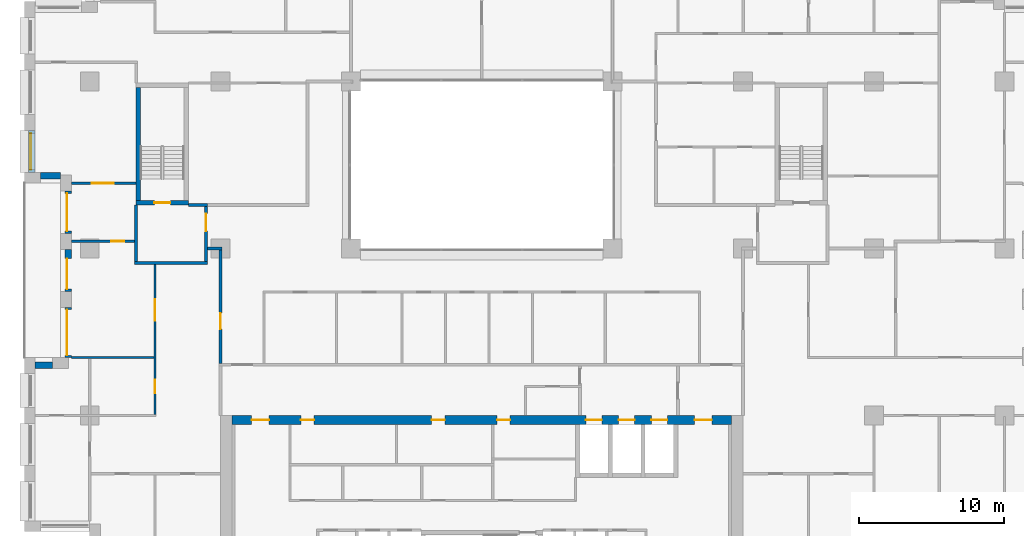
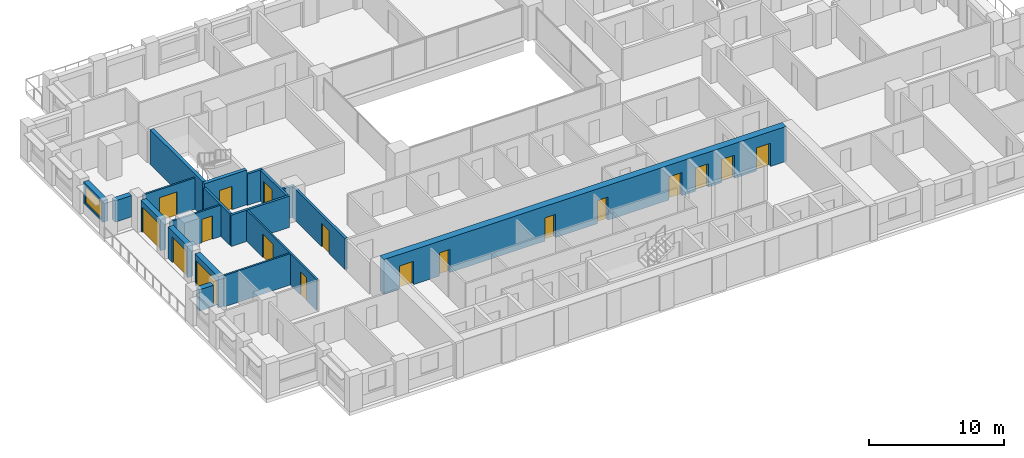
# One storey, part 9 of 16: 19 walls, 18 doors, 1 window, 19 openings.
"""IFC4 building model written with IfcOpenShell, lengths in metres."""

from ifc_helpers import new_model, si_unit, direction, frame, frame_2d, origin, place, context, subcontext, project, spatial, rectangle, extrude, material, layer, layer_set, type_object, element, fill, save


model = new_model("IFC4")

# Units and contexts
model_context = context("Model", 3, precision=1e-05, world=origin(), true_north=direction((0.0, 1.0)))
body_context = subcontext(model_context, "Body", "Model", "MODEL_VIEW")
ifc_project = project(units=[si_unit("LENGTHUNIT", "METRE"), si_unit("AREAUNIT", "SQUARE_METRE"), si_unit("VOLUMEUNIT", "CUBIC_METRE"), si_unit("PLANEANGLEUNIT", "RADIAN"), si_unit("MASSUNIT", "GRAM", prefix="KILO")], contexts=[model_context])

# Site, building, storey
site_placement = place(None, origin())
site = spatial("IfcSite", under=ifc_project, at=site_placement, CompositionType="ELEMENT")
building_placement = place(site_placement, origin())
building = spatial("IfcBuilding", under=site, at=building_placement, Name="Brigalow Station Residences", CompositionType="ELEMENT")
storey_placement = place(building_placement, frame((0.0, 0.0, 105.60009765625)))
storey = spatial("IfcBuildingStorey", under=building, at=storey_placement, Name="L30", CompositionType="ELEMENT", Elevation=105.60009765625)

# Wall, opening, window
ifc_material_1 = material(Name="Clay brick masonry", Category="masonry")
ifc_layer_1 = layer(ifc_material_1, 0.449951171875)
ifc_layer_set_1 = layer_set([ifc_layer_1], Name="BRICK INFILL WALL 450")
wall_type_1 = type_object("IfcWallType", Name="BRICK INFILL WALL 450", PredefinedType="SOLIDWALL", material=ifc_layer_set_1)
wall_1_placement = place(storey_placement, frame((5.02490234375, 32.116943359375, 0.89990234375), z_axis=(0.0, 0.0, 1.0), x_axis=(0.0, -1.0, 0.0)))
wall_1 = element("IfcWall", 1, at=wall_1_placement, inside=storey, type_object=wall_type_1, Name="L30/ewall/W-L30-41", PredefinedType="SOLIDWALL", context=body_context, shape_type="SweptSolid", body=[
    extrude(rectangle(XDim=2.866943359375, YDim=0.449951171875, at=frame_2d((1.43359375, 0.0))), origin(), (0.0, 0.0, 1.0), 1.929931640625),
])
opening_1_placement = place(wall_1_placement, frame((0.18359375, 0.0, 0.14990234375)))
opening_1 = element("IfcOpeningElement", 2, at=opening_1_placement, cuts=wall_1, Name="Opening WT-5", PredefinedType="OPENING", context=body_context, shape_type="SweptSolid", body=[
    extrude(rectangle(XDim=2.5, YDim=1.5, at=frame_2d((1.25, 0.75))), frame((0.0, 0.23486328125, 0.0), z_axis=(0.0, -1.0, 0.0), x_axis=(1.0, 0.0, 0.0)), (0.0, 0.0, 1.0), 0.469970703125),
])
ifc_material_2 = material(Name="Anodised aluminium frame with double glazing", Category="aluminium")
window_type = type_object("IfcWindowType", Name="WINDOW 2500x1500", PartitioningType="SINGLE_PANEL", PredefinedType="WINDOW", material=ifc_material_2)
window_placement = place(opening_1_placement, origin())
window = element("IfcWindow", 3, at=window_placement, inside=storey, type_object=window_type, Name="L30/window/W-L30-41", OverallHeight=1.5, OverallWidth=2.5, PartitioningType="SINGLE_PANEL", PredefinedType="WINDOW", context=body_context, shape_type="SweptSolid", body=[
    extrude(rectangle(XDim=2.5, YDim=1.5, at=frame_2d((1.25, 0.75))), frame((0.0, -0.06494140625, 0.0), z_axis=(0.0, -1.0, 0.0), x_axis=(1.0, 0.0, 0.0)), (0.0, 0.0, 1.0), 0.06005859375),
])
fill(opening_1, window)

# Wall
wall_2_placement = place(storey_placement, frame((5.60009765625, 29.02490234375, 0.89990234375), z_axis=(0.0, 0.0, 1.0), x_axis=(1.0, 0.0, 0.0)))
element("IfcWall", 4, at=wall_2_placement, inside=storey, type_object=wall_type_1, Name="L30/ewall/W-L30-42", PredefinedType="SOLIDWALL", context=body_context, shape_type="SweptSolid", body=[
    extrude(rectangle(XDim=1.39990234375, YDim=0.449951171875, at=frame_2d((0.699951171875, 0.0))), origin(), (0.0, 0.0, 1.0), 1.929931640625),
])

# Wall, opening, door
wall_3_placement = place(storey_placement, frame((7.52490234375, 27.949951171875, 0.0), z_axis=(0.0, 0.0, 1.0), x_axis=(0.0, -1.0, 0.0)))
wall_3 = element("IfcWall", 5, at=wall_3_placement, inside=storey, type_object=wall_type_1, Name="L30/ewall/W-L30-43", PredefinedType="SOLIDWALL", context=body_context, shape_type="SweptSolid", body=[
    extrude(rectangle(XDim=2.89990234375, YDim=0.449951171875, at=frame_2d((1.449951171875, 0.0))), origin(), (0.0, 0.0, 1.0), 2.829833984375),
])
opening_2_placement = place(wall_3_placement, frame((0.14990234375, 0.0, 0.0)))
opening_2 = element("IfcOpeningElement", 6, at=opening_2_placement, cuts=wall_3, Name="Opening D-B2600", PredefinedType="OPENING", context=body_context, shape_type="SweptSolid", body=[
    extrude(rectangle(XDim=2.60009765625, YDim=2.300048828125, at=frame_2d((1.300048828125, 1.14990234375))), frame((0.0, 0.23486328125, 0.0), z_axis=(0.0, -1.0, 0.0), x_axis=(1.0, 0.0, 0.0)), (0.0, 0.0, 1.0), 0.469970703125),
])
ifc_material_3 = material(Name="Anodised aluminium frame with double glazing", Category="aluminium")
door_type_1 = type_object("IfcDoorType", Name="BALCONY SLIDING DOOR 2600x2300", OperationType="SLIDING_TO_LEFT", PredefinedType="DOOR", material=ifc_material_3)
door_1_placement = place(opening_2_placement, origin())
door_1 = element("IfcDoor", 7, at=door_1_placement, inside=storey, type_object=door_type_1, Name="L30/balcony-door/W-L30-43", OperationType="SLIDING_TO_LEFT", OverallHeight=2.300048828125, OverallWidth=2.60009765625, PredefinedType="DOOR", context=body_context, shape_type="SweptSolid", body=[
    extrude(rectangle(XDim=2.60009765625, YDim=2.300048828125, at=frame_2d((1.300048828125, 1.14990234375))), frame((0.0, -0.06982421875, 0.0), z_axis=(0.0, -1.0, 0.0), x_axis=(1.0, 0.0, 0.0)), (0.0, 0.0, 1.0), 0.050048828125),
])
fill(opening_2, door_1)

wall_4_placement = place(storey_placement, frame((7.52490234375, 23.949951171875, 0.0), z_axis=(0.0, 0.0, 1.0), x_axis=(0.0, -1.0, 0.0)))
wall_4 = element("IfcWall", 8, at=wall_4_placement, inside=storey, type_object=wall_type_1, Name="L30/ewall/W-L30-44", PredefinedType="SOLIDWALL", context=body_context, shape_type="SweptSolid", body=[
    extrude(rectangle(XDim=2.89990234375, YDim=0.449951171875, at=frame_2d((1.449951171875, 0.0))), origin(), (0.0, 0.0, 1.0), 2.829833984375),
])
opening_3_placement = place(wall_4_placement, frame((0.635009765625, 0.0, 0.0)))
opening_3 = element("IfcOpeningElement", 9, at=opening_3_placement, cuts=wall_4, Name="Opening D-B2100", PredefinedType="OPENING", context=body_context, shape_type="SweptSolid", body=[
    extrude(rectangle(XDim=2.10009765625, YDim=2.300048828125, at=frame_2d((1.050048828125, 1.14990234375))), frame((0.0, 0.23486328125, 0.0), z_axis=(0.0, -1.0, 0.0), x_axis=(1.0, 0.0, 0.0)), (0.0, 0.0, 1.0), 0.469970703125),
])
ifc_material_4 = material(Name="Anodised aluminium frame with double glazing", Category="aluminium")
door_type_2 = type_object("IfcDoorType", Name="BALCONY SLIDING DOOR 2100x2300", OperationType="SLIDING_TO_LEFT", PredefinedType="DOOR", material=ifc_material_4)
door_2_placement = place(opening_3_placement, origin())
door_2 = element("IfcDoor", 10, at=door_2_placement, inside=storey, type_object=door_type_2, Name="L30/balcony-door/W-L30-44", OperationType="SLIDING_TO_LEFT", OverallHeight=2.300048828125, OverallWidth=2.10009765625, PredefinedType="DOOR", context=body_context, shape_type="SweptSolid", body=[
    extrude(rectangle(XDim=2.10009765625, YDim=2.300048828125, at=frame_2d((1.050048828125, 1.14990234375))), frame((0.0, -0.06982421875, 0.0), z_axis=(0.0, -1.0, 0.0), x_axis=(1.0, 0.0, 0.0)), (0.0, 0.0, 1.0), 0.050048828125),
])
fill(opening_3, door_2)

wall_5_placement = place(storey_placement, frame((7.52490234375, 19.949951171875, 0.0), z_axis=(0.0, 0.0, 1.0), x_axis=(0.0, -1.0, 0.0)))
wall_5 = element("IfcWall", 11, at=wall_5_placement, inside=storey, type_object=wall_type_1, Name="L30/ewall/W-L30-45", PredefinedType="SOLIDWALL", context=body_context, shape_type="SweptSolid", body=[
    extrude(rectangle(XDim=3.449951171875, YDim=0.449951171875, at=frame_2d((1.72509765625, 0.0))), origin(), (0.0, 0.0, 1.0), 2.829833984375),
])
opening_4_placement = place(wall_5_placement, frame((0.14990234375, 0.0, 0.0)))
opening_4 = element("IfcOpeningElement", 12, at=opening_4_placement, cuts=wall_5, Name="Opening D-B3150", PredefinedType="OPENING", context=body_context, shape_type="SweptSolid", body=[
    extrude(rectangle(XDim=3.14990234375, YDim=2.300048828125, at=frame_2d((1.574951171875, 1.14990234375))), frame((0.0, 0.23486328125, 0.0), z_axis=(0.0, -1.0, 0.0), x_axis=(1.0, 0.0, 0.0)), (0.0, 0.0, 1.0), 0.469970703125),
])
ifc_material_5 = material(Name="Anodised aluminium frame with double glazing", Category="aluminium")
door_type_3 = type_object("IfcDoorType", Name="BALCONY SLIDING DOOR 3150x2300", OperationType="SLIDING_TO_LEFT", PredefinedType="DOOR", material=ifc_material_5)
door_3_placement = place(opening_4_placement, origin())
door_3 = element("IfcDoor", 13, at=door_3_placement, inside=storey, type_object=door_type_3, Name="L30/balcony-door/W-L30-45", OperationType="SLIDING_TO_LEFT", OverallHeight=2.300048828125, OverallWidth=3.14990234375, PredefinedType="DOOR", context=body_context, shape_type="SweptSolid", body=[
    extrude(rectangle(XDim=3.14990234375, YDim=2.300048828125, at=frame_2d((1.574951171875, 1.14990234375))), frame((0.0, -0.06982421875, 0.0), z_axis=(0.0, -1.0, 0.0), x_axis=(1.0, 0.0, 0.0)), (0.0, 0.0, 1.0), 0.050048828125),
])
fill(opening_4, door_3)

# Wall
wall_6_placement = place(storey_placement, frame((6.449951171875, 15.97509765625, 0.89990234375), z_axis=(0.0, 0.0, 1.0), x_axis=(-1.0, 0.0, 0.0)))
element("IfcWall", 14, at=wall_6_placement, inside=storey, type_object=wall_type_1, Name="L30/ewall/W-L30-46", PredefinedType="SOLIDWALL", context=body_context, shape_type="SweptSolid", body=[
    extrude(rectangle(XDim=1.199951171875, YDim=0.449951171875, at=frame_2d((0.60009765625, 0.0))), origin(), (0.0, 0.0, 1.0), 1.929931640625),
])

# Wall, opening, door
ifc_material_6 = material(Name="Concrete C65", Category="concrete")
ifc_layer_2 = layer(ifc_material_6, 0.300048828125)
ifc_layer_set_2 = layer_set([ifc_layer_2], Name="CORE SHEAR WALL 300 C65")
wall_type_2 = type_object("IfcWallType", Name="CORE SHEAR WALL 300 C65", PredefinedType="SHEAR", material=ifc_layer_set_2)
wall_7_placement = place(storey_placement, frame((12.199951171875, 27.14990234375, 0.0), z_axis=(0.0, 0.0, 1.0), x_axis=(1.0, 0.0, 0.0)))
wall_7 = element("IfcWall", 15, at=wall_7_placement, inside=storey, type_object=wall_type_2, Name="CORE WALL ST-S1-S L30", PredefinedType="SHEAR", context=body_context, shape_type="SweptSolid", body=[
    extrude(rectangle(XDim=3.60009765625, YDim=0.300048828125, at=frame_2d((1.800048828125, 0.0))), origin(), (0.0, 0.0, 1.0), 3.14990234375),
])
opening_5_placement = place(wall_7_placement, frame((1.25, 0.0, 0.0)))
opening_5 = element("IfcOpeningElement", 16, at=opening_5_placement, cuts=wall_7, Name="Opening D-5015", PredefinedType="OPENING", context=body_context, shape_type="SweptSolid", body=[
    extrude(rectangle(XDim=1.10009765625, YDim=2.10009765625, at=frame_2d((0.550048828125, 1.050048828125))), frame((0.0, 0.16015625, 0.0), z_axis=(0.0, -1.0, 0.0), x_axis=(1.0, 0.0, 0.0)), (0.0, 0.0, 1.0), 0.320068359375),
])
ifc_material_7 = material(Name="Steel fire door leaf in steel frame", Category="steel")
door_type_4 = type_object("IfcDoorType", Name="STAIR DOOR 1100 x 2100 FD60S", OperationType="SINGLE_SWING_LEFT", PredefinedType="DOOR", material=ifc_material_7)
door_4_placement = place(opening_5_placement, origin())
door_4 = element("IfcDoor", 17, at=door_4_placement, inside=storey, type_object=door_type_4, Name="D-5015", OperationType="SINGLE_SWING_LEFT", OverallHeight=2.10009765625, OverallWidth=1.10009765625, PredefinedType="DOOR", context=body_context, shape_type="SweptSolid", body=[
    extrude(rectangle(XDim=1.10009765625, YDim=2.10009765625, at=frame_2d((0.550048828125, 1.050048828125))), frame((0.0, 0.02490234375, 0.0), z_axis=(0.0, -1.0, 0.0), x_axis=(1.0, 0.0, 0.0)), (0.0, 0.0, 1.0), 0.050048828125),
])
fill(opening_5, door_4)

# Wall
wall_8_placement = place(storey_placement, frame((12.35009765625, 27.300048828125, 0.0), z_axis=(0.0, 0.0, 1.0), x_axis=(0.0, 1.0, 0.0)))
element("IfcWall", 18, at=wall_8_placement, inside=storey, type_object=wall_type_2, Name="CORE WALL ST-S1-W L30", PredefinedType="SHEAR", context=body_context, shape_type="SweptSolid", body=[
    extrude(rectangle(XDim=7.800048828125, YDim=0.300048828125, at=frame_2d((3.89990234375, 0.0))), origin(), (0.0, 0.0, 1.0), 3.14990234375),
])

# Wall, openings, doors
ifc_material_8 = material(Name="Concrete C65", Category="concrete")
ifc_layer_3 = layer(ifc_material_8, 0.60009765625)
ifc_layer_set_3 = layer_set([ifc_layer_3], Name="CORE SHEAR WALL 600 C65")
wall_type_3 = type_object("IfcWallType", Name="CORE SHEAR WALL 600 C65", PredefinedType="SHEAR", material=ifc_layer_set_3)
wall_9_placement = place(storey_placement, frame((18.800048828125, 12.199951171875, 0.0), z_axis=(0.0, 0.0, 1.0), x_axis=(1.0, 0.0, 0.0)))
wall_9 = element("IfcWall", 19, at=wall_9_placement, inside=storey, type_object=wall_type_3, Name="CORE WALL OUT-N L30", PredefinedType="SHEAR", context=body_context, shape_type="SweptSolid", body=[
    extrude(rectangle(XDim=34.39990234375, YDim=0.60009765625, at=frame_2d((17.199951171875, 0.0))), origin(), (0.0, 0.0, 1.0), 3.14990234375),
])
opening_6_placement = place(wall_9_placement, frame((24.375, 0.0, 0.0)))
opening_6 = element("IfcOpeningElement", 20, at=opening_6_placement, cuts=wall_9, Name="Opening LD-LF1", PredefinedType="OPENING", context=body_context, shape_type="SweptSolid", body=[
    extrude(rectangle(XDim=1.10009765625, YDim=2.10009765625, at=frame_2d((0.550048828125, 1.050048828125))), frame((0.0, 0.31005859375, 0.0), z_axis=(0.0, -1.0, 0.0), x_axis=(1.0, 0.0, 0.0)), (0.0, 0.0, 1.0), 0.6201171875),
])
opening_7_placement = place(wall_9_placement, frame((26.625, 0.0, 0.0)))
opening_7 = element("IfcOpeningElement", 21, at=opening_7_placement, cuts=wall_9, Name="Opening LD-LF2", PredefinedType="OPENING", context=body_context, shape_type="SweptSolid", body=[
    extrude(rectangle(XDim=1.10009765625, YDim=2.10009765625, at=frame_2d((0.550048828125, 1.050048828125))), frame((0.0, 0.31005859375, 0.0), z_axis=(0.0, -1.0, 0.0), x_axis=(1.0, 0.0, 0.0)), (0.0, 0.0, 1.0), 0.6201171875),
])
opening_8_placement = place(wall_9_placement, frame((28.875, 0.0, 0.0)))
opening_8 = element("IfcOpeningElement", 22, at=opening_8_placement, cuts=wall_9, Name="Opening LD-LG1", PredefinedType="OPENING", context=body_context, shape_type="SweptSolid", body=[
    extrude(rectangle(XDim=1.10009765625, YDim=2.10009765625, at=frame_2d((0.550048828125, 1.050048828125))), frame((0.0, 0.31005859375, 0.0), z_axis=(0.0, -1.0, 0.0), x_axis=(1.0, 0.0, 0.0)), (0.0, 0.0, 1.0), 0.6201171875),
])
opening_9_placement = place(wall_9_placement, frame((4.75, 0.0, 0.0)))
opening_9 = element("IfcOpeningElement", 23, at=opening_9_placement, cuts=wall_9, Name="Opening D-5118", PredefinedType="OPENING", context=body_context, shape_type="SweptSolid", body=[
    extrude(rectangle(XDim=0.89990234375, YDim=2.10009765625, at=frame_2d((0.449951171875, 1.050048828125))), frame((0.0, 0.31005859375, 0.0), z_axis=(0.0, -1.0, 0.0), x_axis=(1.0, 0.0, 0.0)), (0.0, 0.0, 1.0), 0.6201171875),
])
opening_10_placement = place(wall_9_placement, frame((13.75, 0.0, 0.0)))
opening_10 = element("IfcOpeningElement", 24, at=opening_10_placement, cuts=wall_9, Name="Opening D-5120", PredefinedType="OPENING", context=body_context, shape_type="SweptSolid", body=[
    extrude(rectangle(XDim=0.89990234375, YDim=2.10009765625, at=frame_2d((0.449951171875, 1.050048828125))), frame((0.0, 0.31005859375, 0.0), z_axis=(0.0, -1.0, 0.0), x_axis=(1.0, 0.0, 0.0)), (0.0, 0.0, 1.0), 0.6201171875),
])
opening_11_placement = place(wall_9_placement, frame((18.25, 0.0, 0.0)))
opening_11 = element("IfcOpeningElement", 25, at=opening_11_placement, cuts=wall_9, Name="Opening D-5119", PredefinedType="OPENING", context=body_context, shape_type="SweptSolid", body=[
    extrude(rectangle(XDim=0.89990234375, YDim=2.10009765625, at=frame_2d((0.449951171875, 1.050048828125))), frame((0.0, 0.31005859375, 0.0), z_axis=(0.0, -1.0, 0.0), x_axis=(1.0, 0.0, 0.0)), (0.0, 0.0, 1.0), 0.6201171875),
])
opening_12_placement = place(wall_9_placement, frame((1.35009765625, 0.0, 0.0)))
opening_12 = element("IfcOpeningElement", 26, at=opening_12_placement, cuts=wall_9, Name="Opening D-5011", PredefinedType="OPENING", context=body_context, shape_type="SweptSolid", body=[
    extrude(rectangle(XDim=1.199951171875, YDim=2.10009765625, at=frame_2d((0.60009765625, 1.050048828125))), frame((0.0, 0.31005859375, 0.0), z_axis=(0.0, -1.0, 0.0), x_axis=(1.0, 0.0, 0.0)), (0.0, 0.0, 1.0), 0.6201171875),
])
opening_13_placement = place(wall_9_placement, frame((31.85009765625, 0.0, 0.0)))
opening_13 = element("IfcOpeningElement", 27, at=opening_13_placement, cuts=wall_9, Name="Opening D-5012", PredefinedType="OPENING", context=body_context, shape_type="SweptSolid", body=[
    extrude(rectangle(XDim=1.199951171875, YDim=2.10009765625, at=frame_2d((0.60009765625, 1.050048828125))), frame((0.0, 0.31005859375, 0.0), z_axis=(0.0, -1.0, 0.0), x_axis=(1.0, 0.0, 0.0)), (0.0, 0.0, 1.0), 0.6201171875),
])
ifc_material_9 = material(Name="Steel fire door leaf in steel frame", Category="steel")
door_type_5 = type_object("IfcDoorType", Name="CORE CORRIDOR DOOR 1200 x 2100 FD60S", OperationType="SINGLE_SWING_LEFT", PredefinedType="DOOR", material=ifc_material_9)
door_5_placement = place(opening_12_placement, frame((1.199951171875, 0.0, 0.0), z_axis=(0.0, 0.0, 1.0), x_axis=(-1.0, 0.0, 0.0)))
door_5 = element("IfcDoor", 28, at=door_5_placement, inside=storey, type_object=door_type_5, Name="D-5011", OperationType="SINGLE_SWING_LEFT", OverallHeight=2.10009765625, OverallWidth=1.199951171875, PredefinedType="DOOR", context=body_context, shape_type="SweptSolid", body=[
    extrude(rectangle(XDim=1.199951171875, YDim=2.10009765625, at=frame_2d((0.60009765625, 1.050048828125))), frame((0.0, 0.02490234375, 0.0), z_axis=(0.0, -1.0, 0.0), x_axis=(1.0, 0.0, 0.0)), (0.0, 0.0, 1.0), 0.050048828125),
])
fill(opening_12, door_5)
door_6_placement = place(opening_13_placement, frame((1.199951171875, 0.0, 0.0), z_axis=(0.0, 0.0, 1.0), x_axis=(-1.0, 0.0, 0.0)))
door_6 = element("IfcDoor", 29, at=door_6_placement, inside=storey, type_object=door_type_5, Name="D-5012", OperationType="SINGLE_SWING_RIGHT", OverallHeight=2.10009765625, OverallWidth=1.199951171875, PredefinedType="DOOR", context=body_context, shape_type="SweptSolid", body=[
    extrude(rectangle(XDim=1.199951171875, YDim=2.10009765625, at=frame_2d((0.60009765625, 1.050048828125))), frame((0.0, 0.02490234375, 0.0), z_axis=(0.0, -1.0, 0.0), x_axis=(1.0, 0.0, 0.0)), (0.0, 0.0, 1.0), 0.050048828125),
])
fill(opening_13, door_6)
ifc_material_10 = material(Name="Stainless steel sliding door leaves", Category="steel")
door_type_6 = type_object("IfcDoorType", Name="LIFT LANDING DOOR 1100 x 2100", OperationType="DOUBLE_DOOR_SLIDING", PredefinedType="DOOR", material=ifc_material_10)
door_7_placement = place(opening_6_placement, origin())
door_7 = element("IfcDoor", 30, at=door_7_placement, inside=storey, type_object=door_type_6, Name="LANDING DOOR LF1", OperationType="DOUBLE_DOOR_SLIDING", OverallHeight=2.10009765625, OverallWidth=1.10009765625, PredefinedType="DOOR", context=body_context, shape_type="SweptSolid", body=[
    extrude(rectangle(XDim=1.10009765625, YDim=2.10009765625, at=frame_2d((0.550048828125, 1.050048828125))), frame((0.0, 0.02490234375, 0.0), z_axis=(0.0, -1.0, 0.0), x_axis=(1.0, 0.0, 0.0)), (0.0, 0.0, 1.0), 0.050048828125),
])
fill(opening_6, door_7)
door_8_placement = place(opening_7_placement, origin())
door_8 = element("IfcDoor", 31, at=door_8_placement, inside=storey, type_object=door_type_6, Name="LANDING DOOR LF2", OperationType="DOUBLE_DOOR_SLIDING", OverallHeight=2.10009765625, OverallWidth=1.10009765625, PredefinedType="DOOR", context=body_context, shape_type="SweptSolid", body=[
    extrude(rectangle(XDim=1.10009765625, YDim=2.10009765625, at=frame_2d((0.550048828125, 1.050048828125))), frame((0.0, 0.02490234375, 0.0), z_axis=(0.0, -1.0, 0.0), x_axis=(1.0, 0.0, 0.0)), (0.0, 0.0, 1.0), 0.050048828125),
])
fill(opening_7, door_8)
door_9_placement = place(opening_8_placement, origin())
door_9 = element("IfcDoor", 32, at=door_9_placement, inside=storey, type_object=door_type_6, Name="LANDING DOOR LG1", OperationType="DOUBLE_DOOR_SLIDING", OverallHeight=2.10009765625, OverallWidth=1.10009765625, PredefinedType="DOOR", context=body_context, shape_type="SweptSolid", body=[
    extrude(rectangle(XDim=1.10009765625, YDim=2.10009765625, at=frame_2d((0.550048828125, 1.050048828125))), frame((0.0, 0.02490234375, 0.0), z_axis=(0.0, -1.0, 0.0), x_axis=(1.0, 0.0, 0.0)), (0.0, 0.0, 1.0), 0.050048828125),
])
fill(opening_8, door_9)
ifc_material_11 = material(Name="Steel door leaf in steel frame", Category="steel")
door_type_7 = type_object("IfcDoorType", Name="SERVICE ROOM DOOR 900 x 2100 FD60", OperationType="SINGLE_SWING_LEFT", PredefinedType="DOOR", material=ifc_material_11)
door_10_placement = place(opening_9_placement, frame((0.89990234375, 0.0, 0.0), z_axis=(0.0, 0.0, 1.0), x_axis=(-1.0, 0.0, 0.0)))
door_10 = element("IfcDoor", 33, at=door_10_placement, inside=storey, type_object=door_type_7, Name="D-5118", OperationType="SINGLE_SWING_RIGHT", OverallHeight=2.10009765625, OverallWidth=0.89990234375, PredefinedType="DOOR", context=body_context, shape_type="SweptSolid", body=[
    extrude(rectangle(XDim=0.89990234375, YDim=2.10009765625, at=frame_2d((0.449951171875, 1.050048828125))), frame((0.0, 0.02490234375, 0.0), z_axis=(0.0, -1.0, 0.0), x_axis=(1.0, 0.0, 0.0)), (0.0, 0.0, 1.0), 0.050048828125),
])
fill(opening_9, door_10)
door_11_placement = place(opening_10_placement, frame((0.89990234375, 0.0, 0.0), z_axis=(0.0, 0.0, 1.0), x_axis=(-1.0, 0.0, 0.0)))
door_11 = element("IfcDoor", 34, at=door_11_placement, inside=storey, type_object=door_type_7, Name="D-5120", OperationType="SINGLE_SWING_RIGHT", OverallHeight=2.10009765625, OverallWidth=0.89990234375, PredefinedType="DOOR", context=body_context, shape_type="SweptSolid", body=[
    extrude(rectangle(XDim=0.89990234375, YDim=2.10009765625, at=frame_2d((0.449951171875, 1.050048828125))), frame((0.0, 0.02490234375, 0.0), z_axis=(0.0, -1.0, 0.0), x_axis=(1.0, 0.0, 0.0)), (0.0, 0.0, 1.0), 0.050048828125),
])
fill(opening_10, door_11)
door_12_placement = place(opening_11_placement, frame((0.89990234375, 0.0, 0.0), z_axis=(0.0, 0.0, 1.0), x_axis=(-1.0, 0.0, 0.0)))
door_12 = element("IfcDoor", 35, at=door_12_placement, inside=storey, type_object=door_type_7, Name="D-5119", OperationType="SINGLE_SWING_RIGHT", OverallHeight=2.10009765625, OverallWidth=0.89990234375, PredefinedType="DOOR", context=body_context, shape_type="SweptSolid", body=[
    extrude(rectangle(XDim=0.89990234375, YDim=2.10009765625, at=frame_2d((0.449951171875, 1.050048828125))), frame((0.0, 0.02490234375, 0.0), z_axis=(0.0, -1.0, 0.0), x_axis=(1.0, 0.0, 0.0)), (0.0, 0.0, 1.0), 0.050048828125),
])
fill(opening_11, door_12)

# Walls
ifc_material_12 = material(Name="Concrete blockwork", Category="masonry")
ifc_layer_4 = layer(ifc_material_12, 0.199951171875)
ifc_layer_set_4 = layer_set([ifc_layer_4], Name="FIRE RATED CORE PARTITION 200")
wall_type_4 = type_object("IfcWallType", Name="FIRE RATED CORE PARTITION 200", PredefinedType="PARTITIONING", material=ifc_layer_set_4)
wall_10_placement = place(storey_placement, frame((12.10009765625, 23.0, 0.0), z_axis=(0.0, 0.0, 1.0), x_axis=(1.0, 0.0, 0.0)))
element("IfcWall", 36, at=wall_10_placement, inside=storey, type_object=wall_type_4, Name="PW-5023", PredefinedType="PARTITIONING", context=body_context, shape_type="SweptSolid", body=[
    extrude(rectangle(XDim=5.0, YDim=0.199951171875, at=frame_2d((2.5, 0.0))), origin(), (0.0, 0.0, 1.0), 2.829833984375),
])
wall_11_placement = place(storey_placement, frame((15.800048828125, 27.0, 0.0), z_axis=(0.0, 0.0, 1.0), x_axis=(1.0, 0.0, 0.0)))
element("IfcWall", 37, at=wall_11_placement, inside=storey, type_object=wall_type_4, Name="PW-5025", PredefinedType="PARTITIONING", context=body_context, shape_type="SweptSolid", body=[
    extrude(rectangle(XDim=1.300048828125, YDim=0.199951171875, at=frame_2d((0.64990234375, 0.0))), origin(), (0.0, 0.0, 1.0), 2.829833984375),
])
wall_12_placement = place(storey_placement, frame((12.199951171875, 23.10009765625, 0.0), z_axis=(0.0, 0.0, 1.0), x_axis=(0.0, 1.0, 0.0)))
element("IfcWall", 38, at=wall_12_placement, inside=storey, type_object=wall_type_4, Name="PW-5034", PredefinedType="PARTITIONING", context=body_context, shape_type="SweptSolid", body=[
    extrude(rectangle(XDim=3.89990234375, YDim=0.199951171875, at=frame_2d((1.949951171875, 0.0))), origin(), (0.0, 0.0, 1.0), 2.829833984375),
])

# Wall, opening, door
wall_13_placement = place(storey_placement, frame((17.0, 23.10009765625, 0.0), z_axis=(0.0, 0.0, 1.0), x_axis=(0.0, 1.0, 0.0)))
wall_13 = element("IfcWall", 39, at=wall_13_placement, inside=storey, type_object=wall_type_4, Name="PW-5035", PredefinedType="PARTITIONING", context=body_context, shape_type="SweptSolid", body=[
    extrude(rectangle(XDim=3.7998046875, YDim=0.199951171875, at=frame_2d((1.89990234375, 0.0))), origin(), (0.0, 0.0, 1.0), 2.829833984375),
])
opening_14_placement = place(wall_13_placement, frame((2.10009765625, 0.0, 0.0)))
opening_14 = element("IfcOpeningElement", 40, at=opening_14_placement, cuts=wall_13, Name="Opening D-5016", PredefinedType="OPENING", context=body_context, shape_type="SweptSolid", body=[
    extrude(rectangle(XDim=1.199951171875, YDim=2.10009765625, at=frame_2d((0.60009765625, 1.050048828125))), frame((0.0, 0.10986328125, 0.0), z_axis=(0.0, -1.0, 0.0), x_axis=(1.0, 0.0, 0.0)), (0.0, 0.0, 1.0), 0.219970703125),
])
ifc_material_13 = material(Name="Steel fire door leaf in steel frame", Category="steel")
door_type_8 = type_object("IfcDoorType", Name="STAIR LOBBY DOOR 1200 x 2100 FD60S", OperationType="SINGLE_SWING_LEFT", PredefinedType="DOOR", material=ifc_material_13)
door_13_placement = place(opening_14_placement, origin())
door_13 = element("IfcDoor", 41, at=door_13_placement, inside=storey, type_object=door_type_8, Name="D-5016", OperationType="SINGLE_SWING_RIGHT", OverallHeight=2.10009765625, OverallWidth=1.199951171875, PredefinedType="DOOR", context=body_context, shape_type="SweptSolid", body=[
    extrude(rectangle(XDim=1.199951171875, YDim=2.10009765625, at=frame_2d((0.60009765625, 1.050048828125))), frame((0.0, 0.02490234375, 0.0), z_axis=(0.0, -1.0, 0.0), x_axis=(1.0, 0.0, 0.0)), (0.0, 0.0, 1.0), 0.050048828125),
])
fill(opening_14, door_13)

# Wall
ifc_material_14 = material(Name="Plasterboard on steel stud partition", Category="steel")
ifc_layer_5 = layer(ifc_material_14, 0.14990234375)
ifc_layer_set_5 = layer_set([ifc_layer_5], Name="FLAT PARTITION 150")
wall_type_5 = type_object("IfcWallType", Name="FLAT PARTITION 150", PredefinedType="PARTITIONING", material=ifc_layer_set_5)
wall_14_placement = place(storey_placement, frame((7.75, 16.5, 0.0), z_axis=(0.0, 0.0, 1.0), x_axis=(1.0, 0.0, 0.0)))
element("IfcWall", 42, at=wall_14_placement, inside=storey, type_object=wall_type_5, Name="PW-2C13", PredefinedType="PARTITIONING", context=body_context, shape_type="SweptSolid", body=[
    extrude(rectangle(XDim=5.675048828125, YDim=0.14990234375, at=frame_2d((2.83740234375, 0.0))), origin(), (0.0, 0.0, 1.0), 2.829833984375),
])

# Wall, opening, door
wall_15_placement = place(storey_placement, frame((7.75, 24.5, 0.0), z_axis=(0.0, 0.0, 1.0), x_axis=(1.0, 0.0, 0.0)))
wall_15 = element("IfcWall", 43, at=wall_15_placement, inside=storey, type_object=wall_type_5, Name="PW-2C17", PredefinedType="PARTITIONING", context=body_context, shape_type="SweptSolid", body=[
    extrude(rectangle(XDim=4.35009765625, YDim=0.14990234375, at=frame_2d((2.175048828125, 0.0))), origin(), (0.0, 0.0, 1.0), 2.829833984375),
])
opening_15_placement = place(wall_15_placement, frame((2.72509765625, 0.0, 0.0)))
opening_15 = element("IfcOpeningElement", 44, at=opening_15_placement, cuts=wall_15, Name="Opening D-2C10", PredefinedType="OPENING", context=body_context, shape_type="SweptSolid", body=[
    extrude(rectangle(XDim=0.89990234375, YDim=2.10009765625, at=frame_2d((0.449951171875, 1.050048828125))), frame((0.0, 0.0849609375, 0.0), z_axis=(0.0, -1.0, 0.0), x_axis=(1.0, 0.0, 0.0)), (0.0, 0.0, 1.0), 0.169921875),
])
ifc_material_15 = material(Name="Solid-core timber door leaf", Category="wood")
door_type_9 = type_object("IfcDoorType", Name="INTERNAL DOOR 900 x 2100", OperationType="SINGLE_SWING_LEFT", PredefinedType="DOOR", material=ifc_material_15)
door_14_placement = place(opening_15_placement, origin())
door_14 = element("IfcDoor", 45, at=door_14_placement, inside=storey, type_object=door_type_9, Name="D-2C10", OperationType="SINGLE_SWING_RIGHT", OverallHeight=2.10009765625, OverallWidth=0.89990234375, PredefinedType="DOOR", context=body_context, shape_type="SweptSolid", body=[
    extrude(rectangle(XDim=0.89990234375, YDim=2.10009765625, at=frame_2d((0.449951171875, 1.050048828125))), frame((0.0, 0.02490234375, 0.0), z_axis=(0.0, -1.0, 0.0), x_axis=(1.0, 0.0, 0.0)), (0.0, 0.0, 1.0), 0.050048828125),
])
fill(opening_15, door_14)

wall_16_placement = place(storey_placement, frame((7.75, 28.5, 0.0), z_axis=(0.0, 0.0, 1.0), x_axis=(1.0, 0.0, 0.0)))
wall_16 = element("IfcWall", 46, at=wall_16_placement, inside=storey, type_object=wall_type_5, Name="PW-2C20", PredefinedType="PARTITIONING", context=body_context, shape_type="SweptSolid", body=[
    extrude(rectangle(XDim=4.449951171875, YDim=0.14990234375, at=frame_2d((2.22509765625, 0.0))), origin(), (0.0, 0.0, 1.0), 2.829833984375),
])
opening_16_placement = place(wall_16_placement, frame((1.39990234375, 0.0, 0.0)))
opening_16 = element("IfcOpeningElement", 47, at=opening_16_placement, cuts=wall_16, Name="Opening D-2C11", PredefinedType="OPENING", context=body_context, shape_type="SweptSolid", body=[
    extrude(rectangle(XDim=1.5, YDim=2.10009765625, at=frame_2d((0.75, 1.050048828125))), frame((0.0, 0.0849609375, 0.0), z_axis=(0.0, -1.0, 0.0), x_axis=(1.0, 0.0, 0.0)), (0.0, 0.0, 1.0), 0.169921875),
])
ifc_material_16 = material(Name="Solid-core timber door leaf", Category="wood")
door_type_10 = type_object("IfcDoorType", Name="INTERNAL DOUBLE DOOR 1500 x 2100", OperationType="DOUBLE_DOOR_SINGLE_SWING", PredefinedType="DOOR", material=ifc_material_16)
door_15_placement = place(opening_16_placement, frame((1.5, 0.0, 0.0), z_axis=(0.0, 0.0, 1.0), x_axis=(-1.0, 0.0, 0.0)))
door_15 = element("IfcDoor", 48, at=door_15_placement, inside=storey, type_object=door_type_10, Name="D-2C11", OperationType="DOUBLE_DOOR_SINGLE_SWING", OverallHeight=2.10009765625, OverallWidth=1.5, PredefinedType="DOOR", context=body_context, shape_type="SweptSolid", body=[
    extrude(rectangle(XDim=1.5, YDim=2.10009765625, at=frame_2d((0.75, 1.050048828125))), frame((0.0, 0.02490234375, 0.0), z_axis=(0.0, -1.0, 0.0), x_axis=(1.0, 0.0, 0.0)), (0.0, 0.0, 1.0), 0.050048828125),
])
fill(opening_16, door_15)

# Wall, openings, doors
wall_17_placement = place(storey_placement, frame((13.5, 12.574951171875, 0.0), z_axis=(0.0, 0.0, 1.0), x_axis=(0.0, 1.0, 0.0)))
wall_17 = element("IfcWall", 49, at=wall_17_placement, inside=storey, type_object=wall_type_5, Name="PW-2C47", PredefinedType="PARTITIONING", context=body_context, shape_type="SweptSolid", body=[
    extrude(rectangle(XDim=10.324951171875, YDim=0.14990234375, at=frame_2d((5.16259765625, 0.0))), origin(), (0.0, 0.0, 1.0), 2.829833984375),
])
opening_17_placement = place(wall_17_placement, frame((1.47509765625, 0.0, 0.0)))
opening_17 = element("IfcOpeningElement", 50, at=opening_17_placement, cuts=wall_17, Name="Opening D-2C08", PredefinedType="OPENING", context=body_context, shape_type="SweptSolid", body=[
    extrude(rectangle(XDim=0.89990234375, YDim=2.10009765625, at=frame_2d((0.449951171875, 1.050048828125))), frame((0.0, 0.0849609375, 0.0), z_axis=(0.0, -1.0, 0.0), x_axis=(1.0, 0.0, 0.0)), (0.0, 0.0, 1.0), 0.169921875),
])
opening_18_placement = place(wall_17_placement, frame((6.449951171875, 0.0, 0.0)))
opening_18 = element("IfcOpeningElement", 51, at=opening_18_placement, cuts=wall_17, Name="Opening D-2C09", PredefinedType="OPENING", context=body_context, shape_type="SweptSolid", body=[
    extrude(rectangle(XDim=1.5, YDim=2.10009765625, at=frame_2d((0.75, 1.050048828125))), frame((0.0, 0.0849609375, 0.0), z_axis=(0.0, -1.0, 0.0), x_axis=(1.0, 0.0, 0.0)), (0.0, 0.0, 1.0), 0.169921875),
])
door_16_placement = place(opening_17_placement, origin())
door_16 = element("IfcDoor", 52, at=door_16_placement, inside=storey, type_object=door_type_9, Name="D-2C08", OperationType="SINGLE_SWING_RIGHT", OverallHeight=2.10009765625, OverallWidth=0.89990234375, PredefinedType="DOOR", context=body_context, shape_type="SweptSolid", body=[
    extrude(rectangle(XDim=0.89990234375, YDim=2.10009765625, at=frame_2d((0.449951171875, 1.050048828125))), frame((0.0, 0.02490234375, 0.0), z_axis=(0.0, -1.0, 0.0), x_axis=(1.0, 0.0, 0.0)), (0.0, 0.0, 1.0), 0.050048828125),
])
fill(opening_17, door_16)
door_17_placement = place(opening_18_placement, origin())
door_17 = element("IfcDoor", 53, at=door_17_placement, inside=storey, type_object=door_type_10, Name="D-2C09", OperationType="DOUBLE_DOOR_SINGLE_SWING", OverallHeight=2.10009765625, OverallWidth=1.5, PredefinedType="DOOR", context=body_context, shape_type="SweptSolid", body=[
    extrude(rectangle(XDim=1.5, YDim=2.10009765625, at=frame_2d((0.75, 1.050048828125))), frame((0.0, 0.02490234375, 0.0), z_axis=(0.0, -1.0, 0.0), x_axis=(1.0, 0.0, 0.0)), (0.0, 0.0, 1.0), 0.050048828125),
])
fill(opening_18, door_17)

# Wall
ifc_material_17 = material(Name="Plasterboard on steel stud partition", Category="steel")
ifc_layer_6 = layer(ifc_material_17, 0.199951171875)
ifc_layer_set_6 = layer_set([ifc_layer_6], Name="PARTY AND CORRIDOR WALL 200")
wall_type_6 = type_object("IfcWallType", Name="PARTY AND CORRIDOR WALL 200", PredefinedType="PARTITIONING", material=ifc_layer_set_6)
wall_18_placement = place(storey_placement, frame((17.10009765625, 24.0, 0.0), z_axis=(0.0, 0.0, 1.0), x_axis=(1.0, 0.0, 0.0)))
element("IfcWall", 54, at=wall_18_placement, inside=storey, type_object=wall_type_6, Name="PW-2C02", PredefinedType="PARTITIONING", context=body_context, shape_type="SweptSolid", body=[
    extrude(rectangle(XDim=1.0, YDim=0.199951171875, at=frame_2d((0.5, 0.0))), origin(), (0.0, 0.0, 1.0), 2.829833984375),
])

# Wall, opening, door
wall_19_placement = place(storey_placement, frame((18.0, 16.10009765625, 0.0), z_axis=(0.0, 0.0, 1.0), x_axis=(0.0, 1.0, 0.0)))
wall_19 = element("IfcWall", 55, at=wall_19_placement, inside=storey, type_object=wall_type_6, Name="PW-2C36", PredefinedType="PARTITIONING", context=body_context, shape_type="SweptSolid", body=[
    extrude(rectangle(XDim=7.7998046875, YDim=0.199951171875, at=frame_2d((3.89990234375, 0.0))), origin(), (0.0, 0.0, 1.0), 2.829833984375),
])
opening_19_placement = place(wall_19_placement, frame((2.35009765625, 0.0, 0.0)))
opening_19 = element("IfcOpeningElement", 56, at=opening_19_placement, cuts=wall_19, Name="Opening D-2C03", PredefinedType="OPENING", context=body_context, shape_type="SweptSolid", body=[
    extrude(rectangle(XDim=1.10009765625, YDim=2.10009765625, at=frame_2d((0.550048828125, 1.050048828125))), frame((0.0, 0.10986328125, 0.0), z_axis=(0.0, -1.0, 0.0), x_axis=(1.0, 0.0, 0.0)), (0.0, 0.0, 1.0), 0.219970703125),
])
ifc_material_18 = material(Name="Solid-core timber door leaf", Category="wood")
door_type_11 = type_object("IfcDoorType", Name="FLAT ENTRANCE DOOR 1100 x 2100 FRL -/60/30", OperationType="SINGLE_SWING_LEFT", PredefinedType="DOOR", material=ifc_material_18)
door_18_placement = place(opening_19_placement, origin())
door_18 = element("IfcDoor", 57, at=door_18_placement, inside=storey, type_object=door_type_11, Name="D-2C03", OperationType="SINGLE_SWING_RIGHT", OverallHeight=2.10009765625, OverallWidth=1.10009765625, PredefinedType="DOOR", context=body_context, shape_type="SweptSolid", body=[
    extrude(rectangle(XDim=1.10009765625, YDim=2.10009765625, at=frame_2d((0.550048828125, 1.050048828125))), frame((0.0, 0.02490234375, 0.0), z_axis=(0.0, -1.0, 0.0), x_axis=(1.0, 0.0, 0.0)), (0.0, 0.0, 1.0), 0.050048828125),
])
fill(opening_19, door_18)

save(model, "model.ifc")
